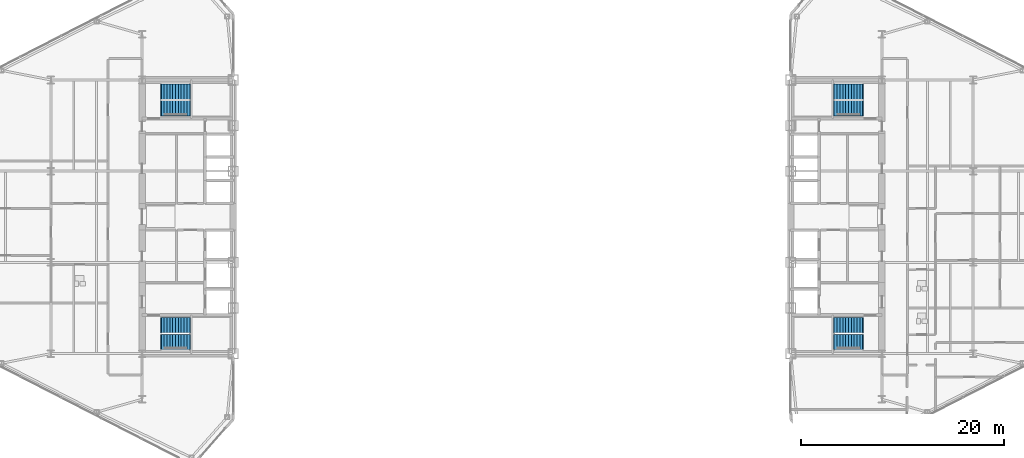
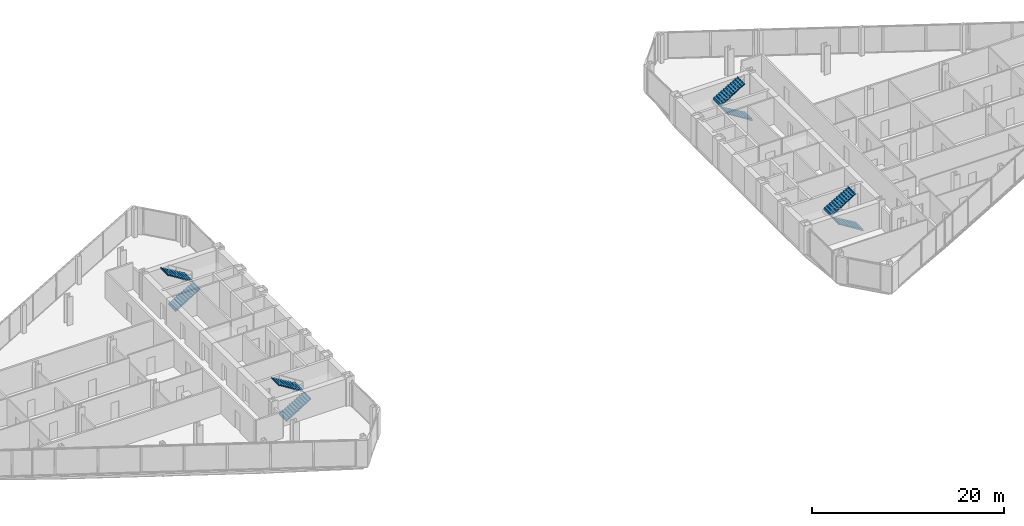
# One storey, part 21 of 23: 8 stair flights, 4 elements without a shape of their own.
"""IFC4 building model written with IfcOpenShell, lengths in metres."""

from ifc_helpers import new_model, si_unit, direction, frame, origin, place, context, subcontext, project, spatial, polyline, outline, extrude, material, type_object, element, aggregate, save


model = new_model("IFC4")

# Units and contexts
model_context = context("Model", 3, precision=1e-05, world=origin(), true_north=direction((0.0, 1.0)))
body_context = subcontext(model_context, "Body", "Model", "MODEL_VIEW")
ifc_project = project(units=[si_unit("LENGTHUNIT", "METRE"), si_unit("AREAUNIT", "SQUARE_METRE"), si_unit("VOLUMEUNIT", "CUBIC_METRE"), si_unit("PLANEANGLEUNIT", "RADIAN"), si_unit("MASSUNIT", "GRAM", prefix="KILO")], contexts=[model_context])

# Site, building, storey
site_placement = place(None, origin())
site = spatial("IfcSite", under=ifc_project, at=site_placement, CompositionType="ELEMENT")
building_placement = place(site_placement, origin())
building = spatial("IfcBuilding", under=site, at=building_placement, Name="Seokmaru Belvedere", CompositionType="ELEMENT")
storey_placement = place(building_placement, frame((0.0, 0.0, 128.39990234375)))
storey = spatial("IfcBuildingStorey", under=building, at=storey_placement, Name="L34", CompositionType="ELEMENT", Elevation=128.39990234375)

# Stair, stair flights
ifc_material = material(Name="Concrete C40 (40 MPa)", Category="concrete")
stair_type = type_object("IfcStairType", Name="Typical Tower Core Dog-Leg Stair 3600", PredefinedType="TWO_STRAIGHT_RUN_STAIR", material=ifc_material)
stair_1_placement = place(storey_placement, origin())
stair_1 = element("IfcStair", 1, at=stair_1_placement, inside=storey, type_object=stair_type, Name="L34 Special Escape Stair ST-W1", PredefinedType="TWO_STRAIGHT_RUN_STAIR")
stair_flight_type = type_object("IfcStairFlightType", Name="Reinforced Concrete Stair Flight 1500", PredefinedType="STRAIGHT", material=ifc_material)
stair_flight_1_placement = place(storey_placement, frame((-34.60009765625, -12.35009765625, 0.0), z_axis=(0.0, 0.0, 1.0), x_axis=(1.0, 0.0, 0.0)))
stair_flight_1 = element("IfcStairFlight", 2, at=stair_flight_1_placement, type_object=stair_flight_type, Name="ST-W1 flight 1", NumberOfRisers=11, NumberOfTreads=10, PredefinedType="STRAIGHT", RiserHeight=0.163636364, TreadLength=0.28, context=body_context, shape_type="SweptSolid", body=[
    extrude(outline(polyline([(-0.080078125, 0.0), (0.0, 0.16357421875), (0.280029296875, 0.16357421875), (0.280029296875, 0.327392578125), (0.56005859375, 0.327392578125), (0.56005859375, 0.490966796875), (0.840087890625, 0.490966796875), (0.840087890625, 0.654541015625), (1.1201171875, 0.654541015625), (1.1201171875, 0.818115234375), (1.39990234375, 0.818115234375), (1.39990234375, 0.98193359375), (1.679931640625, 0.98193359375), (1.679931640625, 1.1455078125), (1.9599609375, 1.1455078125), (1.9599609375, 1.30908203125), (2.239990234375, 1.30908203125), (2.239990234375, 1.47265625), (2.52001953125, 1.47265625), (2.52001953125, 1.636474609375), (2.800048828125, 1.636474609375), (2.800048828125, 1.800048828125), (2.8798828125, 1.800048828125), (2.8798828125, 1.610107421875), (2.800048828125, 1.610107421875), (0.0, -0.159912109375), (-0.080078125, -0.159912109375), (-0.080078125, 0.0)])), frame((0.0, 0.75, 0.0), z_axis=(0.0, -1.0, 0.0), x_axis=(1.0, 0.0, 0.0)), (0.0, 0.0, 1.0), 1.5),
])
stair_flight_2_placement = place(storey_placement, frame((-31.800048828125, -10.7099609375, 1.800048828125), z_axis=(0.0, 0.0, 1.0), x_axis=(-1.0, 0.0, 0.0)))
stair_flight_2 = element("IfcStairFlight", 3, at=stair_flight_2_placement, type_object=stair_flight_type, Name="ST-W1 flight 2", NumberOfRisers=11, NumberOfTreads=10, PredefinedType="STRAIGHT", RiserHeight=0.163636364, TreadLength=0.28, context=body_context, shape_type="SweptSolid", body=[
    extrude(outline(polyline([(-0.080078125, 0.0), (0.0, 0.16357421875), (0.280029296875, 0.16357421875), (0.280029296875, 0.327392578125), (0.56005859375, 0.327392578125), (0.56005859375, 0.490966796875), (0.840087890625, 0.490966796875), (0.840087890625, 0.654541015625), (1.1201171875, 0.654541015625), (1.1201171875, 0.818115234375), (1.39990234375, 0.818115234375), (1.39990234375, 0.98193359375), (1.679931640625, 0.98193359375), (1.679931640625, 1.1455078125), (1.9599609375, 1.1455078125), (1.9599609375, 1.30908203125), (2.239990234375, 1.30908203125), (2.239990234375, 1.47265625), (2.52001953125, 1.47265625), (2.52001953125, 1.636474609375), (2.800048828125, 1.636474609375), (2.800048828125, 1.800048828125), (2.8798828125, 1.800048828125), (2.8798828125, 1.610107421875), (2.800048828125, 1.610107421875), (0.0, -0.159912109375), (-0.080078125, -0.159912109375), (-0.080078125, 0.0)])), frame((0.0, 0.75, 0.0), z_axis=(0.0, -1.0, 0.0), x_axis=(1.0, 0.0, 0.0)), (0.0, 0.0, 1.0), 1.5),
])
aggregate(stair_1, [stair_flight_1, stair_flight_2])

stair_2_placement = place(storey_placement, origin())
stair_2 = element("IfcStair", 4, at=stair_2_placement, inside=storey, type_object=stair_type, Name="L34 Special Escape Stair ST-W2", PredefinedType="TWO_STRAIGHT_RUN_STAIR")
stair_flight_3_placement = place(storey_placement, frame((-34.60009765625, 10.7099609375, 0.0), z_axis=(0.0, 0.0, 1.0), x_axis=(1.0, 0.0, 0.0)))
stair_flight_3 = element("IfcStairFlight", 5, at=stair_flight_3_placement, type_object=stair_flight_type, Name="ST-W2 flight 1", NumberOfRisers=11, NumberOfTreads=10, PredefinedType="STRAIGHT", RiserHeight=0.163636364, TreadLength=0.28, context=body_context, shape_type="SweptSolid", body=[
    extrude(outline(polyline([(-0.080078125, 0.0), (0.0, 0.16357421875), (0.280029296875, 0.16357421875), (0.280029296875, 0.327392578125), (0.56005859375, 0.327392578125), (0.56005859375, 0.490966796875), (0.840087890625, 0.490966796875), (0.840087890625, 0.654541015625), (1.1201171875, 0.654541015625), (1.1201171875, 0.818115234375), (1.39990234375, 0.818115234375), (1.39990234375, 0.98193359375), (1.679931640625, 0.98193359375), (1.679931640625, 1.1455078125), (1.9599609375, 1.1455078125), (1.9599609375, 1.30908203125), (2.239990234375, 1.30908203125), (2.239990234375, 1.47265625), (2.52001953125, 1.47265625), (2.52001953125, 1.636474609375), (2.800048828125, 1.636474609375), (2.800048828125, 1.800048828125), (2.8798828125, 1.800048828125), (2.8798828125, 1.610107421875), (2.800048828125, 1.610107421875), (0.0, -0.159912109375), (-0.080078125, -0.159912109375), (-0.080078125, 0.0)])), frame((0.0, 0.75, 0.0), z_axis=(0.0, -1.0, 0.0), x_axis=(1.0, 0.0, 0.0)), (0.0, 0.0, 1.0), 1.5),
])
stair_flight_4_placement = place(storey_placement, frame((-31.800048828125, 12.35009765625, 1.800048828125), z_axis=(0.0, 0.0, 1.0), x_axis=(-1.0, 0.0, 0.0)))
stair_flight_4 = element("IfcStairFlight", 6, at=stair_flight_4_placement, type_object=stair_flight_type, Name="ST-W2 flight 2", NumberOfRisers=11, NumberOfTreads=10, PredefinedType="STRAIGHT", RiserHeight=0.163636364, TreadLength=0.28, context=body_context, shape_type="SweptSolid", body=[
    extrude(outline(polyline([(-0.080078125, 0.0), (0.0, 0.16357421875), (0.280029296875, 0.16357421875), (0.280029296875, 0.327392578125), (0.56005859375, 0.327392578125), (0.56005859375, 0.490966796875), (0.840087890625, 0.490966796875), (0.840087890625, 0.654541015625), (1.1201171875, 0.654541015625), (1.1201171875, 0.818115234375), (1.39990234375, 0.818115234375), (1.39990234375, 0.98193359375), (1.679931640625, 0.98193359375), (1.679931640625, 1.1455078125), (1.9599609375, 1.1455078125), (1.9599609375, 1.30908203125), (2.239990234375, 1.30908203125), (2.239990234375, 1.47265625), (2.52001953125, 1.47265625), (2.52001953125, 1.636474609375), (2.800048828125, 1.636474609375), (2.800048828125, 1.800048828125), (2.8798828125, 1.800048828125), (2.8798828125, 1.610107421875), (2.800048828125, 1.610107421875), (0.0, -0.159912109375), (-0.080078125, -0.159912109375), (-0.080078125, 0.0)])), frame((0.0, 0.75, 0.0), z_axis=(0.0, -1.0, 0.0), x_axis=(1.0, 0.0, 0.0)), (0.0, 0.0, 1.0), 1.5),
])
aggregate(stair_2, [stair_flight_3, stair_flight_4])

stair_3_placement = place(storey_placement, origin())
stair_3 = element("IfcStair", 7, at=stair_3_placement, inside=storey, type_object=stair_type, Name="L34 Special Escape Stair ST-E1", PredefinedType="TWO_STRAIGHT_RUN_STAIR")
stair_flight_5_placement = place(storey_placement, frame((34.60009765625, -12.35009765625, 0.0), z_axis=(0.0, 0.0, 1.0), x_axis=(-1.0, 0.0, 0.0)))
stair_flight_5 = element("IfcStairFlight", 8, at=stair_flight_5_placement, type_object=stair_flight_type, Name="ST-E1 flight 1", NumberOfRisers=11, NumberOfTreads=10, PredefinedType="STRAIGHT", RiserHeight=0.163636364, TreadLength=0.28, context=body_context, shape_type="SweptSolid", body=[
    extrude(outline(polyline([(-0.080078125, 0.0), (0.0, 0.16357421875), (0.280029296875, 0.16357421875), (0.280029296875, 0.327392578125), (0.56005859375, 0.327392578125), (0.56005859375, 0.490966796875), (0.840087890625, 0.490966796875), (0.840087890625, 0.654541015625), (1.1201171875, 0.654541015625), (1.1201171875, 0.818115234375), (1.39990234375, 0.818115234375), (1.39990234375, 0.98193359375), (1.679931640625, 0.98193359375), (1.679931640625, 1.1455078125), (1.9599609375, 1.1455078125), (1.9599609375, 1.30908203125), (2.239990234375, 1.30908203125), (2.239990234375, 1.47265625), (2.52001953125, 1.47265625), (2.52001953125, 1.636474609375), (2.800048828125, 1.636474609375), (2.800048828125, 1.800048828125), (2.8798828125, 1.800048828125), (2.8798828125, 1.610107421875), (2.800048828125, 1.610107421875), (0.0, -0.159912109375), (-0.080078125, -0.159912109375), (-0.080078125, 0.0)])), frame((0.0, 0.75, 0.0), z_axis=(0.0, -1.0, 0.0), x_axis=(1.0, 0.0, 0.0)), (0.0, 0.0, 1.0), 1.5),
])
stair_flight_6_placement = place(storey_placement, frame((31.800048828125, -10.7099609375, 1.800048828125), z_axis=(0.0, 0.0, 1.0), x_axis=(1.0, 0.0, 0.0)))
stair_flight_6 = element("IfcStairFlight", 9, at=stair_flight_6_placement, type_object=stair_flight_type, Name="ST-E1 flight 2", NumberOfRisers=11, NumberOfTreads=10, PredefinedType="STRAIGHT", RiserHeight=0.163636364, TreadLength=0.28, context=body_context, shape_type="SweptSolid", body=[
    extrude(outline(polyline([(-0.080078125, 0.0), (0.0, 0.16357421875), (0.280029296875, 0.16357421875), (0.280029296875, 0.327392578125), (0.56005859375, 0.327392578125), (0.56005859375, 0.490966796875), (0.840087890625, 0.490966796875), (0.840087890625, 0.654541015625), (1.1201171875, 0.654541015625), (1.1201171875, 0.818115234375), (1.39990234375, 0.818115234375), (1.39990234375, 0.98193359375), (1.679931640625, 0.98193359375), (1.679931640625, 1.1455078125), (1.9599609375, 1.1455078125), (1.9599609375, 1.30908203125), (2.239990234375, 1.30908203125), (2.239990234375, 1.47265625), (2.52001953125, 1.47265625), (2.52001953125, 1.636474609375), (2.800048828125, 1.636474609375), (2.800048828125, 1.800048828125), (2.8798828125, 1.800048828125), (2.8798828125, 1.610107421875), (2.800048828125, 1.610107421875), (0.0, -0.159912109375), (-0.080078125, -0.159912109375), (-0.080078125, 0.0)])), frame((0.0, 0.75, 0.0), z_axis=(0.0, -1.0, 0.0), x_axis=(1.0, 0.0, 0.0)), (0.0, 0.0, 1.0), 1.5),
])
aggregate(stair_3, [stair_flight_5, stair_flight_6])

stair_4_placement = place(storey_placement, origin())
stair_4 = element("IfcStair", 10, at=stair_4_placement, inside=storey, type_object=stair_type, Name="L34 Special Escape Stair ST-E2", PredefinedType="TWO_STRAIGHT_RUN_STAIR")
stair_flight_7_placement = place(storey_placement, frame((34.60009765625, 10.7099609375, 0.0), z_axis=(0.0, 0.0, 1.0), x_axis=(-1.0, 0.0, 0.0)))
stair_flight_7 = element("IfcStairFlight", 11, at=stair_flight_7_placement, type_object=stair_flight_type, Name="ST-E2 flight 1", NumberOfRisers=11, NumberOfTreads=10, PredefinedType="STRAIGHT", RiserHeight=0.163636364, TreadLength=0.28, context=body_context, shape_type="SweptSolid", body=[
    extrude(outline(polyline([(-0.080078125, 0.0), (0.0, 0.16357421875), (0.280029296875, 0.16357421875), (0.280029296875, 0.327392578125), (0.56005859375, 0.327392578125), (0.56005859375, 0.490966796875), (0.840087890625, 0.490966796875), (0.840087890625, 0.654541015625), (1.1201171875, 0.654541015625), (1.1201171875, 0.818115234375), (1.39990234375, 0.818115234375), (1.39990234375, 0.98193359375), (1.679931640625, 0.98193359375), (1.679931640625, 1.1455078125), (1.9599609375, 1.1455078125), (1.9599609375, 1.30908203125), (2.239990234375, 1.30908203125), (2.239990234375, 1.47265625), (2.52001953125, 1.47265625), (2.52001953125, 1.636474609375), (2.800048828125, 1.636474609375), (2.800048828125, 1.800048828125), (2.8798828125, 1.800048828125), (2.8798828125, 1.610107421875), (2.800048828125, 1.610107421875), (0.0, -0.159912109375), (-0.080078125, -0.159912109375), (-0.080078125, 0.0)])), frame((0.0, 0.75, 0.0), z_axis=(0.0, -1.0, 0.0), x_axis=(1.0, 0.0, 0.0)), (0.0, 0.0, 1.0), 1.5),
])
stair_flight_8_placement = place(storey_placement, frame((31.800048828125, 12.35009765625, 1.800048828125), z_axis=(0.0, 0.0, 1.0), x_axis=(1.0, 0.0, 0.0)))
stair_flight_8 = element("IfcStairFlight", 12, at=stair_flight_8_placement, type_object=stair_flight_type, Name="ST-E2 flight 2", NumberOfRisers=11, NumberOfTreads=10, PredefinedType="STRAIGHT", RiserHeight=0.163636364, TreadLength=0.28, context=body_context, shape_type="SweptSolid", body=[
    extrude(outline(polyline([(-0.080078125, 0.0), (0.0, 0.16357421875), (0.280029296875, 0.16357421875), (0.280029296875, 0.327392578125), (0.56005859375, 0.327392578125), (0.56005859375, 0.490966796875), (0.840087890625, 0.490966796875), (0.840087890625, 0.654541015625), (1.1201171875, 0.654541015625), (1.1201171875, 0.818115234375), (1.39990234375, 0.818115234375), (1.39990234375, 0.98193359375), (1.679931640625, 0.98193359375), (1.679931640625, 1.1455078125), (1.9599609375, 1.1455078125), (1.9599609375, 1.30908203125), (2.239990234375, 1.30908203125), (2.239990234375, 1.47265625), (2.52001953125, 1.47265625), (2.52001953125, 1.636474609375), (2.800048828125, 1.636474609375), (2.800048828125, 1.800048828125), (2.8798828125, 1.800048828125), (2.8798828125, 1.610107421875), (2.800048828125, 1.610107421875), (0.0, -0.159912109375), (-0.080078125, -0.159912109375), (-0.080078125, 0.0)])), frame((0.0, 0.75, 0.0), z_axis=(0.0, -1.0, 0.0), x_axis=(1.0, 0.0, 0.0)), (0.0, 0.0, 1.0), 1.5),
])
aggregate(stair_4, [stair_flight_7, stair_flight_8])

save(model, "model.ifc")
